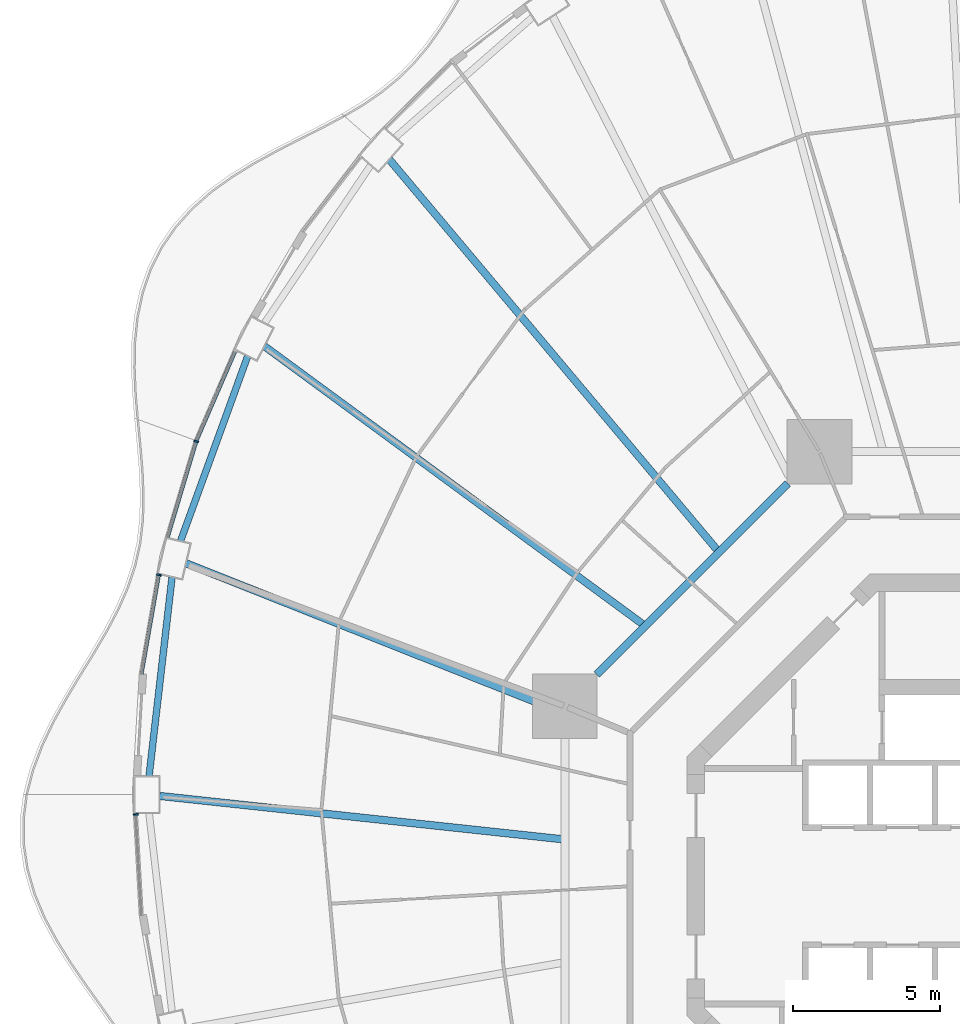
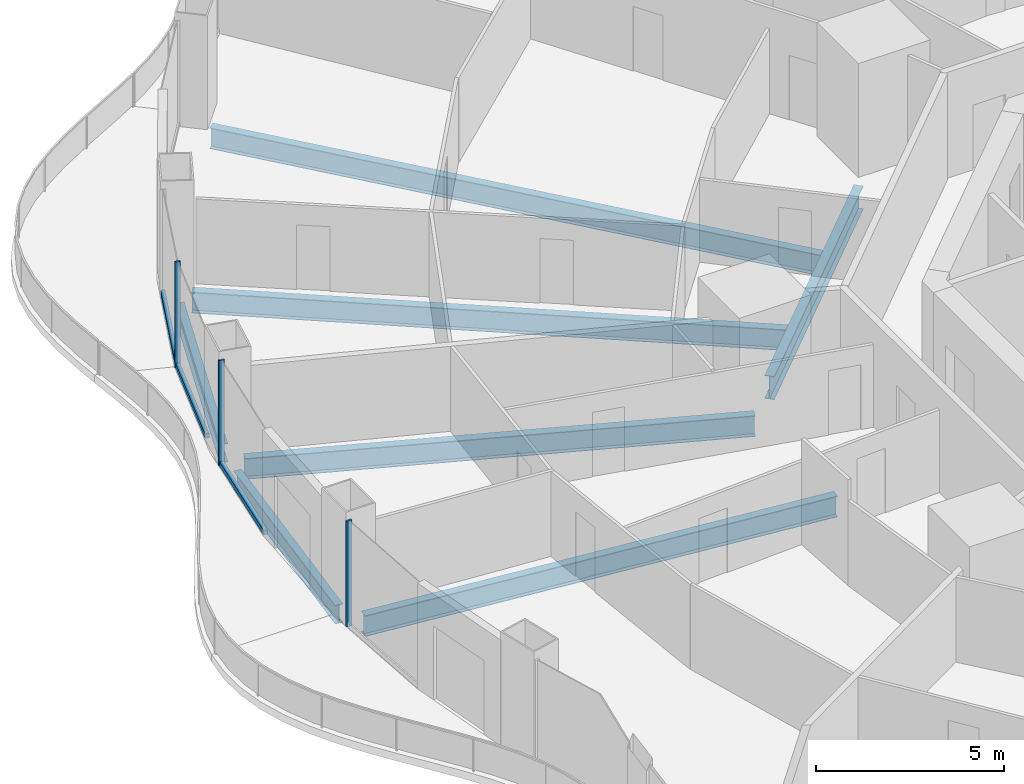
# One storey, part 7 of 22: 7 beams, 6 members, 4 elements without a shape of their own.
"""IFC4 building model written with IfcOpenShell, lengths in metres."""

from ifc_helpers import new_model, si_unit, direction, frame, origin, origin_2d, place, context, subcontext, project, spatial, rectangle, i_section, extrude, material, layer, layer_set, material_profile, profile_set, type_object, element, aggregate, save


model = new_model("IFC4")

# Units and contexts
model_context = context("Model", 3, precision=1e-05, world=origin(), true_north=direction((0.0, 1.0)))
body_context = subcontext(model_context, "Body", "Model", "MODEL_VIEW")
ifc_project = project(units=[si_unit("LENGTHUNIT", "METRE"), si_unit("AREAUNIT", "SQUARE_METRE"), si_unit("VOLUMEUNIT", "CUBIC_METRE"), si_unit("PLANEANGLEUNIT", "RADIAN"), si_unit("MASSUNIT", "GRAM", prefix="KILO")], contexts=[model_context])

# Site, building, storey
site_placement = place(None, origin())
site = spatial("IfcSite", under=ifc_project, at=site_placement, CompositionType="ELEMENT")
building_placement = place(site_placement, origin())
building = spatial("IfcBuilding", under=site, at=building_placement, Name="Nagisa Residences", CompositionType="ELEMENT")
storey_placement = place(building_placement, frame((0.0, 0.0, 91.800048828125)))
storey = spatial("IfcBuildingStorey", under=building, at=storey_placement, Name="L22", CompositionType="ELEMENT", Elevation=91.800048828125)

# Curtain wall, member
ifc_material_1 = material(Name="Concrete-coloured aluminium curtain wall system", Category="concrete")
ifc_layer = layer(ifc_material_1, 0.159912109375)
ifc_layer_set = layer_set([ifc_layer], Name="CW1 CURTAIN WALL")
curtain_wall_type = type_object("IfcCurtainWallType", Name="CW1 CURTAIN WALL", PredefinedType="NOTDEFINED", material=ifc_layer_set)
curtain_wall_1_placement = place(storey_placement, origin())
curtain_wall_1 = element("IfcCurtainWall", 1, at=curtain_wall_1_placement, inside=storey, type_object=curtain_wall_type, Name="cw:CW1:L22:21", PredefinedType="NOTDEFINED")
ifc_material_2 = material(Name="Concrete-coloured aluminium", Category="concrete")
ifc_material_profile_1 = material_profile(ifc_material_2, rectangle(XDim=0.159912109375, YDim=0.06005859375, at=origin_2d()), Name="CW1 MULLION 160x60")
ifc_profile_set_1 = profile_set([ifc_material_profile_1], Name="Concrete-coloured aluminium")
member_type_1 = type_object("IfcMemberType", Name="CW1 MULLION 160x60", PredefinedType="MULLION", material=ifc_profile_set_1)
member_1_placement = place(storey_placement, frame((-27.31884765625, 15.12646484375, 0.0), z_axis=(0.0, 0.0, 1.0), x_axis=(0.958271310082, -0.285860274038, 0.0)))
member_1 = element("IfcMember", 2, at=member_1_placement, type_object=member_type_1, Name="CW1 mullion", PredefinedType="MULLION", context=body_context, shape_type="SweptSolid", body=[
    extrude(rectangle(XDim=0.159912109375, YDim=0.06005859375, at=origin_2d()), origin(), (0.0, 0.0, 1.0), 3.43994140625),
])

curtain_wall_2_placement = place(storey_placement, origin())
curtain_wall_2 = element("IfcCurtainWall", 3, at=curtain_wall_2_placement, inside=storey, type_object=curtain_wall_type, Name="cw:CW1:L22:22", PredefinedType="NOTDEFINED")
member_2_placement = place(storey_placement, frame((-28.589599609375, 10.5908203125, 0.0), z_axis=(0.0, 0.0, 1.0), x_axis=(0.985063604377, -0.172190868898, 0.0)))
member_2 = element("IfcMember", 4, at=member_2_placement, type_object=member_type_1, Name="CW1 mullion", PredefinedType="MULLION", context=body_context, shape_type="SweptSolid", body=[
    extrude(rectangle(XDim=0.159912109375, YDim=0.06005859375, at=origin_2d()), origin(), (0.0, 0.0, 1.0), 3.43994140625),
])

curtain_wall_3_placement = place(storey_placement, origin())
curtain_wall_3 = element("IfcCurtainWall", 5, at=curtain_wall_3_placement, inside=storey, type_object=curtain_wall_type, Name="cw:CW1:L22:24", PredefinedType="NOTDEFINED")
member_3_placement = place(storey_placement, frame((-29.3759765625, 2.443359375, 0.0), z_axis=(0.0, 0.0, 1.0), x_axis=(0.998345305184, 0.057503492216, 0.0)))
member_3 = element("IfcMember", 6, at=member_3_placement, type_object=member_type_1, Name="CW1 mullion", PredefinedType="MULLION", context=body_context, shape_type="SweptSolid", body=[
    extrude(rectangle(XDim=0.159912109375, YDim=0.06005859375, at=origin_2d()), origin(), (0.0, 0.0, 1.0), 3.43994140625),
])
aggregate(curtain_wall_3, [member_3])

curtain_wall_4_placement = place(storey_placement, origin())
curtain_wall_4 = element("IfcCurtainWall", 7, at=curtain_wall_4_placement, inside=storey, type_object=curtain_wall_type, Name="cw:CW1:L22:20", PredefinedType="NOTDEFINED")
ifc_material_3 = material(Name="Concrete-coloured aluminium", Category="concrete")
ifc_material_profile_2 = material_profile(ifc_material_3, rectangle(XDim=0.1201171875, YDim=0.14990234375, at=origin_2d()), Name="CW1 TRANSOM 120x150")
ifc_profile_set_2 = profile_set([ifc_material_profile_2], Name="Concrete-coloured aluminium")
member_type_2 = type_object("IfcMemberType", Name="CW1 TRANSOM 120x150", PredefinedType="USERDEFINED", material=ifc_profile_set_2)
member_4_placement = place(storey_placement, frame((-25.9697265625, 18.2470703125, 0.074951171875), z_axis=(-0.397621629246, -0.917549475481, 0.0), x_axis=(0.917549475481, -0.397621629246, 0.0)))
member_4 = element("IfcMember", 8, at=member_4_placement, type_object=member_type_2, Name="CW1 transom", ObjectType="TRANSOM", PredefinedType="USERDEFINED", context=body_context, shape_type="SweptSolid", body=[
    extrude(rectangle(XDim=0.1201171875, YDim=0.14990234375, at=origin_2d()), origin(), (0.0, 0.0, 1.0), 3.37939453125),
])
aggregate(curtain_wall_4, [member_4])

# Member
member_5_placement = place(storey_placement, frame((-27.310302734375, 15.155029296875, 0.074951171875), z_axis=(-0.285816610469, -0.958284334203, 0.0), x_axis=(0.958284334203, -0.285816610469, 0.0)))
member_5 = element("IfcMember", 9, at=member_5_placement, type_object=member_type_2, Name="CW1 transom", ObjectType="TRANSOM", PredefinedType="USERDEFINED", context=body_context, shape_type="SweptSolid", body=[
    extrude(rectangle(XDim=0.1201171875, YDim=0.14990234375, at=origin_2d()), origin(), (0.0, 0.0, 1.0), 3.423583984375),
])

aggregate(curtain_wall_1, [member_1, member_5])

member_6_placement = place(storey_placement, frame((-28.58447265625, 10.620361328125, 0.074951171875), z_axis=(-0.172164316671, -0.985068245385, 0.0), x_axis=(0.985068245385, -0.172164316671, 0.0)))
member_6 = element("IfcMember", 10, at=member_6_placement, type_object=member_type_2, Name="CW1 transom", ObjectType="TRANSOM", PredefinedType="USERDEFINED", context=body_context, shape_type="SweptSolid", body=[
    extrude(rectangle(XDim=0.1201171875, YDim=0.14990234375, at=origin_2d()), origin(), (0.0, 0.0, 1.0), 3.454345703125),
])

aggregate(curtain_wall_2, [member_2, member_6])

# Beams
ifc_material_4 = material(Name="Steel ASTM A572 Gr 50", Category="steel")
ifc_material_profile_3 = material_profile(ifc_material_4, i_section(OverallWidth=0.264892578125, OverallDepth=0.7529296875, WebThickness=0.01318359375, FlangeThickness=0.01708984375, at=origin_2d()), Name="W760x147")
ifc_profile_set_3 = profile_set([ifc_material_profile_3], Name="Steel ASTM A572 Gr 50")
beam_type_1 = type_object("IfcBeamType", Name="Inner ring beam W760x147", PredefinedType="BEAM", material=ifc_profile_set_3)
beam_1_placement = place(storey_placement, frame((-7.208740234375, 13.6962890625, -0.636474609375), z_axis=(-0.707106781187, -0.707106781187, 0.0), x_axis=(0.707106781187, -0.707106781187, 0.0)))
element("IfcBeam", 11, at=beam_1_placement, inside=storey, type_object=beam_type_1, Name="beam:L22:ib3", PredefinedType="BEAM", context=body_context, shape_type="SweptSolid", body=[
    extrude(i_section(OverallWidth=0.264892578125, OverallDepth=0.7529296875, WebThickness=0.01318359375, FlangeThickness=0.01708984375, at=origin_2d()), origin(), (0.0, 0.0, 1.0), 9.1748046875),
])
ifc_material_5 = material(Name="Steel ASTM A572 Gr 50", Category="steel")
ifc_material_profile_4 = material_profile(ifc_material_5, i_section(OverallWidth=0.22802734375, OverallDepth=0.60302734375, WebThickness=0.010498046875, FlangeThickness=0.014892578125, at=origin_2d()), Name="W610x101")
ifc_profile_set_4 = profile_set([ifc_material_profile_4], Name="Steel ASTM A572 Gr 50")
beam_type_2 = type_object("IfcBeamType", Name="Perimeter ring beam W610x101", PredefinedType="BEAM", material=ifc_profile_set_4)
beam_2_placement = place(storey_placement, frame((-25.568359375, 18.028564453125, -0.5615234375), z_axis=(-0.341365002286, -0.939930814057, 0.0), x_axis=(0.939930814057, -0.341365002286, 0.0)))
element("IfcBeam", 12, at=beam_2_placement, inside=storey, type_object=beam_type_2, Name="beam:L22:pb11", PredefinedType="BEAM", context=body_context, shape_type="SweptSolid", body=[
    extrude(i_section(OverallWidth=0.22802734375, OverallDepth=0.60302734375, WebThickness=0.010498046875, FlangeThickness=0.014892578125, at=origin_2d()), origin(), (0.0, 0.0, 1.0), 6.689208984375),
])
beam_3_placement = place(storey_placement, frame((-28.14111328125, 10.5146484375, -0.5615234375), z_axis=(-0.114690766503, -0.993401242237, 0.0), x_axis=(0.993401242237, -0.114690766503, 0.0)))
element("IfcBeam", 13, at=beam_3_placement, inside=storey, type_object=beam_type_2, Name="beam:L22:pb12", PredefinedType="BEAM", context=body_context, shape_type="SweptSolid", body=[
    extrude(i_section(OverallWidth=0.22802734375, OverallDepth=0.60302734375, WebThickness=0.010498046875, FlangeThickness=0.014892578125, at=origin_2d()), origin(), (0.0, 0.0, 1.0), 6.811767578125),
])
ifc_material_6 = material(Name="Steel ASTM A572 Gr 50", Category="steel")
ifc_material_profile_5 = material_profile(ifc_material_6, i_section(OverallWidth=0.2529296875, OverallDepth=0.677978515625, WebThickness=0.01171875, FlangeThickness=0.016357421875, at=origin_2d()), Name="W690x125")
ifc_profile_set_5 = profile_set([ifc_material_profile_5], Name="Steel ASTM A572 Gr 50")
beam_type_3 = type_object("IfcBeamType", Name="Radial beam W690x125", PredefinedType="BEAM", material=ifc_profile_set_5)
beam_4_placement = place(storey_placement, frame((-20.75, 24.71533203125, -0.59912109375), z_axis=(0.642994706096, -0.765870620884, 0.0), x_axis=(0.765870620884, 0.642994706096, 0.0)))
element("IfcBeam", 14, at=beam_4_placement, inside=storey, type_object=beam_type_3, Name="beam:L22:rb10", PredefinedType="BEAM", context=body_context, shape_type="SweptSolid", body=[
    extrude(i_section(OverallWidth=0.2529296875, OverallDepth=0.677978515625, WebThickness=0.01171875, FlangeThickness=0.016357421875, at=origin_2d()), origin(), (0.0, 0.0, 1.0), 17.319580078125),
])
beam_5_placement = place(storey_placement, frame((-25.0, 18.366943359375, -0.59912109375), z_axis=(0.805892392895, -0.59206203313, 0.0), x_axis=(0.59206203313, 0.805892392895, 0.0)))
element("IfcBeam", 15, at=beam_5_placement, inside=storey, type_object=beam_type_3, Name="beam:L22:rb11", PredefinedType="BEAM", context=body_context, shape_type="SweptSolid", body=[
    extrude(i_section(OverallWidth=0.2529296875, OverallDepth=0.677978515625, WebThickness=0.01171875, FlangeThickness=0.016357421875, at=origin_2d()), origin(), (0.0, 0.0, 1.0), 15.95361328125),
])
beam_6_placement = place(storey_placement, frame((-27.6640625, 10.984375, -0.59912109375), z_axis=(0.929418643834, -0.369027078267, 0.0), x_axis=(0.369027078267, 0.929418643834, 0.0)))
element("IfcBeam", 16, at=beam_6_placement, inside=storey, type_object=beam_type_3, Name="beam:L22:rb12", PredefinedType="BEAM", context=body_context, shape_type="SweptSolid", body=[
    extrude(i_section(OverallWidth=0.2529296875, OverallDepth=0.677978515625, WebThickness=0.01171875, FlangeThickness=0.016357421875, at=origin_2d()), origin(), (0.0, 0.0, 1.0), 13.73779296875),
])
beam_7_placement = place(storey_placement, frame((-28.56494140625, 3.071533203125, -0.59912109375), z_axis=(0.99426817007, -0.10691494744, 0.0), x_axis=(0.10691494744, 0.99426817007, 0.0)))
element("IfcBeam", 17, at=beam_7_placement, inside=storey, type_object=beam_type_3, Name="beam:L22:rb13", PredefinedType="BEAM", context=body_context, shape_type="SweptSolid", body=[
    extrude(i_section(OverallWidth=0.2529296875, OverallDepth=0.677978515625, WebThickness=0.01171875, FlangeThickness=0.016357421875, at=origin_2d()), origin(), (0.0, 0.0, 1.0), 13.7490234375),
])

save(model, "model.ifc")
